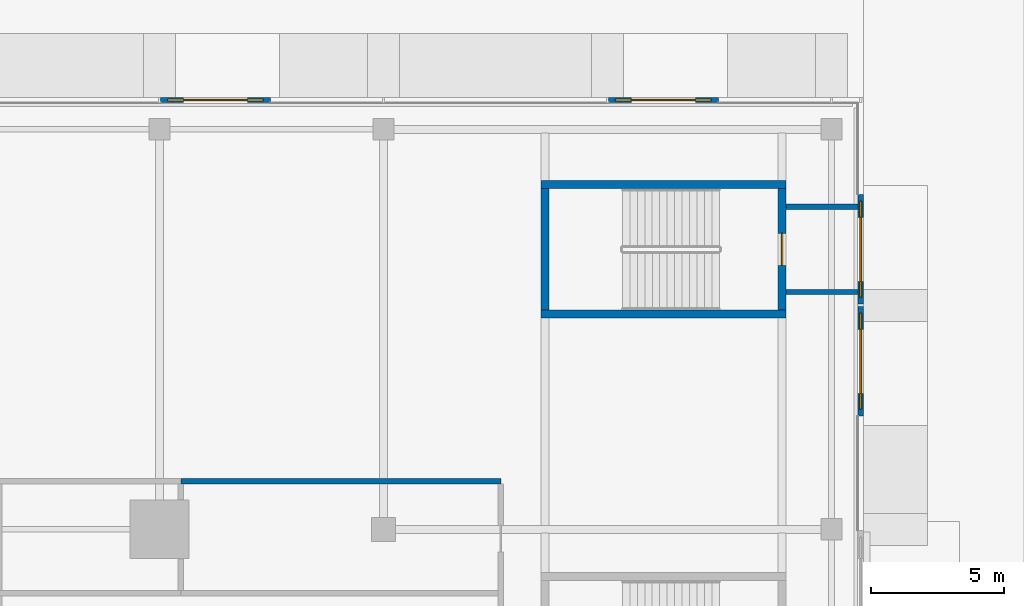
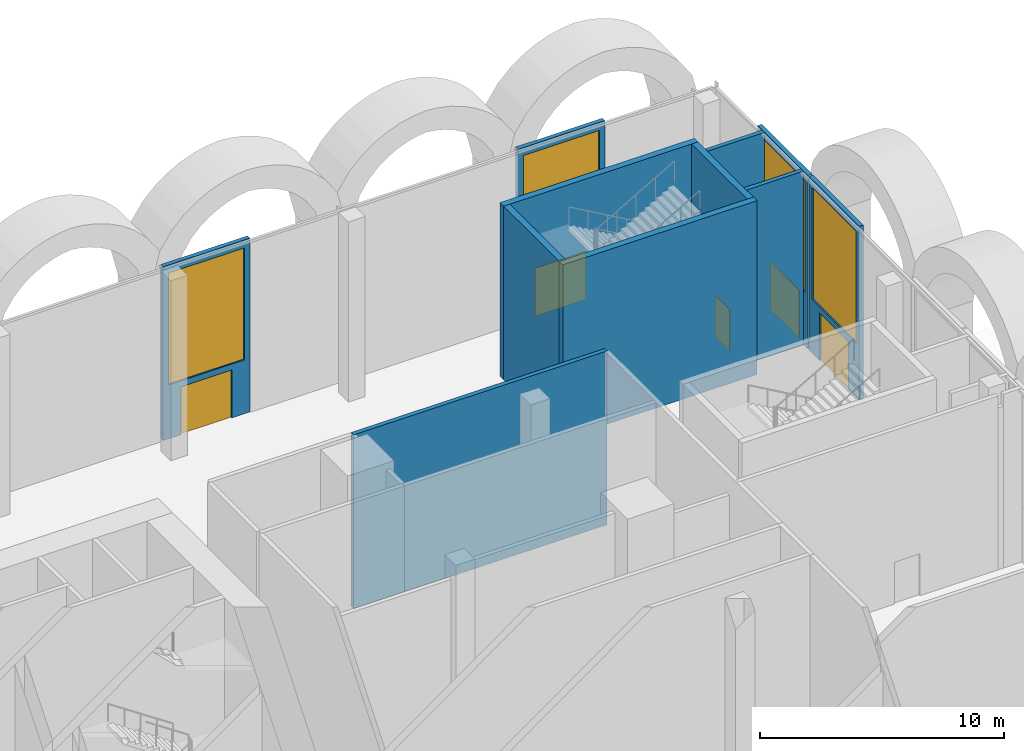
# One storey, part 30 of 43: 11 walls, 5 doors, 4 windows, 9 openings.
"""IFC4 building model written with IfcOpenShell, lengths in metres."""

from ifc_helpers import new_model, si_unit, direction, frame, frame_2d, origin, place, context, subcontext, project, spatial, rectangle, extrude, material, layer, layer_set, type_object, element, fill, save


model = new_model("IFC4")

# Units and contexts
model_context = context("Model", 3, precision=1e-05, world=origin(), true_north=direction((0.0, 1.0)))
body_context = subcontext(model_context, "Body", "Model", "MODEL_VIEW")
ifc_project = project(units=[si_unit("LENGTHUNIT", "METRE"), si_unit("AREAUNIT", "SQUARE_METRE"), si_unit("VOLUMEUNIT", "CUBIC_METRE"), si_unit("PLANEANGLEUNIT", "RADIAN"), si_unit("MASSUNIT", "GRAM", prefix="KILO")], contexts=[model_context])

# Site, building, storey
site_placement = place(None, origin())
site = spatial("IfcSite", under=ifc_project, at=site_placement, CompositionType="ELEMENT")
building_placement = place(site_placement, origin())
building = spatial("IfcBuilding", under=site, at=building_placement, Name="Saffron Gate Tower", CompositionType="ELEMENT")
storey_placement = place(building_placement, origin())
storey = spatial("IfcBuildingStorey", under=building, at=storey_placement, Name="L00", CompositionType="ELEMENT", Elevation=0.0)

# Walls
ifc_material_1 = material(Name="Gypsum board partition on steel studs", Category="steel")
ifc_layer_1 = layer(ifc_material_1, 0.199951171875)
ifc_layer_set_1 = layer_set([ifc_layer_1], Name="CW10 Core partition 200")
wall_type_1 = type_object("IfcWallType", Name="CW10 Core partition 200", PredefinedType="PARTITIONING", material=ifc_layer_set_1)
for number, where, z_axis, x_axis, name in (
    (1, (140.5, 82.699951171875, 0.0), (0.0, 0.0, 1.0), (1.0, 0.0, 0.0), "Wall CW10-L00-XS-IA"),
    (2, (140.5, 85.89990234375, 0.0), (0.0, 0.0, 1.0), (1.0, 0.0, 0.0), "Wall CW10-L00-XS-IB"),
):
    element("IfcWall", number, at=place(storey_placement, frame(where, z_axis=z_axis, x_axis=x_axis)), inside=storey, type_object=wall_type_1, Name=name, PredefinedType="PARTITIONING", context=body_context, shape_type="SweptSolid", body=[
        extrude(rectangle(XDim=2.699951171875, YDim=0.199951171875, at=frame_2d((1.35009765625, 0.0))), origin(), (0.0, 0.0, 1.0), 8.699951171875),
    ])
ifc_material_2 = material(Name="Concrete C70", Category="concrete")
ifc_layer_2 = layer(ifc_material_2, 0.300048828125)
ifc_layer_set_2 = layer_set([ifc_layer_2], Name="CW5 RC core wall 300 C70")
wall_type_2 = type_object("IfcWallType", Name="CW5 RC core wall 300 C70", PredefinedType="SOLIDWALL", material=ifc_layer_set_2)
wall_1_placement = place(storey_placement, frame((131.300048828125, 81.875, 0.0), z_axis=(0.0, 0.0, 1.0), x_axis=(1.0, 0.0, 0.0)))
element("IfcWall", 3, at=wall_1_placement, inside=storey, type_object=wall_type_2, Name="Wall CW5-L00-I-1", PredefinedType="SOLIDWALL", context=body_context, shape_type="SweptSolid", body=[
    extrude(rectangle(XDim=9.199951171875, YDim=0.300048828125, at=frame_2d((4.60009765625, 0.0))), origin(), (0.0, 0.0, 1.0), 8.699951171875),
])
wall_2_placement = place(storey_placement, frame((131.449951171875, 82.02490234375, 0.0), z_axis=(0.0, 0.0, 1.0), x_axis=(0.0, 1.0, 0.0)))
element("IfcWall", 4, at=wall_2_placement, inside=storey, type_object=wall_type_2, Name="Wall CW5-L00-I-2", PredefinedType="SOLIDWALL", context=body_context, shape_type="SweptSolid", body=[
    extrude(rectangle(XDim=4.550048828125, YDim=0.300048828125, at=frame_2d((2.27490234375, 0.0))), origin(), (0.0, 0.0, 1.0), 8.699951171875),
])

# Wall, opening, door
wall_3_placement = place(storey_placement, frame((140.35009765625, 82.02490234375, 0.0), z_axis=(0.0, 0.0, 1.0), x_axis=(0.0, 1.0, 0.0)))
wall_3 = element("IfcWall", 5, at=wall_3_placement, inside=storey, type_object=wall_type_2, Name="Wall CW5-L00-I-3", PredefinedType="SOLIDWALL", context=body_context, shape_type="SweptSolid", body=[
    extrude(rectangle(XDim=4.550048828125, YDim=0.300048828125, at=frame_2d((2.27490234375, 0.0))), origin(), (0.0, 0.0, 1.0), 8.699951171875),
])
opening_1_placement = place(wall_3_placement, frame((1.675048828125, 0.0, 0.0)))
opening_1 = element("IfcOpeningElement", 6, at=opening_1_placement, cuts=wall_3, Name="Opening CR-33", PredefinedType="OPENING", context=body_context, shape_type="SweptSolid", body=[
    extrude(rectangle(XDim=1.199951171875, YDim=2.10009765625, at=frame_2d((0.60009765625, 1.050048828125))), frame((0.0, 0.16015625, 0.0), z_axis=(0.0, -1.0, 0.0), x_axis=(1.0, 0.0, 0.0)), (0.0, 0.0, 1.0), 0.320068359375),
])
ifc_material_3 = material(Name="Steel fire door set", Category="steel")
door_type_1 = type_object("IfcDoorType", Name="CD12 Stair door 1200x2100 EI 120", OperationType="NOTDEFINED", PredefinedType="DOOR", material=ifc_material_3)
door_1_placement = place(opening_1_placement, origin())
door_1 = element("IfcDoor", 7, at=door_1_placement, inside=storey, type_object=door_type_1, Name="DOOR CR-33", OperationType="SINGLE_SWING_RIGHT", OverallHeight=2.10009765625, OverallWidth=1.199951171875, PredefinedType="DOOR", context=body_context, shape_type="SweptSolid", body=[
    extrude(rectangle(XDim=1.199951171875, YDim=2.10009765625, at=frame_2d((0.60009765625, 1.050048828125))), frame((0.0, 0.02490234375, 0.0), z_axis=(0.0, -1.0, 0.0), x_axis=(1.0, 0.0, 0.0)), (0.0, 0.0, 1.0), 0.050048828125),
])
fill(opening_1, door_1)

# Walls
wall_4_placement = place(storey_placement, frame((131.300048828125, 86.72509765625, 0.0), z_axis=(0.0, 0.0, 1.0), x_axis=(1.0, 0.0, 0.0)))
element("IfcWall", 8, at=wall_4_placement, inside=storey, type_object=wall_type_2, Name="Wall CW5-L00-I-4", PredefinedType="SOLIDWALL", context=body_context, shape_type="SweptSolid", body=[
    extrude(rectangle(XDim=9.199951171875, YDim=0.300048828125, at=frame_2d((4.60009765625, 0.0))), origin(), (0.0, 0.0, 1.0), 8.699951171875),
])
ifc_material_4 = material(Name="Clay brick masonry, rendered", Category="masonry")
ifc_layer_3 = layer(ifc_material_4, 0.199951171875)
ifc_layer_set_3 = layer_set([ifc_layer_3], Name="PW3 Corridor wall 200")
wall_type_3 = type_object("IfcWallType", Name="PW3 Corridor wall 200", PredefinedType="PARTITIONING", material=ifc_layer_set_3)
wall_5_placement = place(storey_placement, frame((117.800048828125, 75.60009765625, 0.0), z_axis=(0.0, 0.0, 1.0), x_axis=(1.0, 0.0, 0.0)))
element("IfcWall", 9, at=wall_5_placement, inside=storey, type_object=wall_type_3, Name="Wall P0-28", PredefinedType="PARTITIONING", context=body_context, shape_type="SweptSolid", body=[
    extrude(rectangle(XDim=12.0, YDim=0.199951171875, at=frame_2d((6.0, 0.0))), origin(), (0.0, 0.0, 1.0), 8.699951171875),
])

# Wall, openings, window, door
ifc_material_5 = material(Name="Reinforced concrete C40/50 clad in bronze panels", Category="concrete")
ifc_layer_4 = layer(ifc_material_5, 0.199951171875)
ifc_layer_set_4 = layer_set([ifc_layer_4], Name="WBAY1 entrance bay wall")
wall_type_4 = type_object("IfcWallType", Name="WBAY1 entrance bay wall", PredefinedType="SOLIDWALL", material=ifc_layer_set_4)
wall_6_placement = place(storey_placement, frame((143.300048828125, 82.159912109375, 0.0), z_axis=(0.0, 0.0, 1.0), x_axis=(0.0, -1.0, 0.0)))
wall_6 = element("IfcWall", 10, at=wall_6_placement, inside=storey, type_object=wall_type_4, Name="ENTRANCE BAY wall", PredefinedType="SOLIDWALL", context=body_context, shape_type="SweptSolid", body=[
    extrude(rectangle(XDim=4.119873046875, YDim=0.199951171875, at=frame_2d((2.06005859375, 0.0))), origin(), (0.0, 0.0, 1.0), 8.699951171875),
])
opening_2_placement = place(wall_6_placement, frame((0.860107421875, 0.0, 0.0)))
opening_2 = element("IfcOpeningElement", 11, at=opening_2_placement, cuts=wall_6, Name="Opening E18", PredefinedType="OPENING", context=body_context, shape_type="SweptSolid", body=[
    extrude(rectangle(XDim=2.39990234375, YDim=2.39990234375, at=frame_2d((1.199951171875, 1.199951171875))), frame((0.0, 0.10986328125, 0.0), z_axis=(0.0, -1.0, 0.0), x_axis=(1.0, 0.0, 0.0)), (0.0, 0.0, 1.0), 0.219970703125),
])
opening_3_placement = place(wall_6_placement, frame((0.260009765625, 0.0, 2.699951171875)))
opening_3 = element("IfcOpeningElement", 12, at=opening_3_placement, cuts=wall_6, Name="Opening W9", PredefinedType="OPENING", context=body_context, shape_type="SweptSolid", body=[
    extrude(rectangle(XDim=3.60009765625, YDim=5.60009765625, at=frame_2d((1.800048828125, 2.800048828125))), frame((0.0, 0.10986328125, 0.0), z_axis=(0.0, -1.0, 0.0), x_axis=(1.0, 0.0, 0.0)), (0.0, 0.0, 1.0), 0.219970703125),
])
ifc_material_6 = material(Name="Clear low-iron laminated glass in bronze frame", Category="glass")
ifc_layer_5 = layer(ifc_material_6, 0.06005859375)
ifc_layer_set_5 = layer_set([ifc_layer_5], Name="W9 entrance light")
window_type = type_object("IfcWindowType", Name="W9 entrance light", PartitioningType="SINGLE_PANEL", PredefinedType="WINDOW", material=ifc_layer_set_5)
window_1_placement = place(opening_3_placement, origin())
window_1 = element("IfcWindow", 13, at=window_1_placement, inside=storey, type_object=window_type, Name="W9 entrance light", OverallHeight=5.60009765625, OverallWidth=3.60009765625, PartitioningType="SINGLE_PANEL", PredefinedType="WINDOW", context=body_context, shape_type="SweptSolid", body=[
    extrude(rectangle(XDim=3.60009765625, YDim=5.60009765625, at=frame_2d((1.800048828125, 2.800048828125))), frame((0.0, 0.030029296875, 0.0), z_axis=(0.0, -1.0, 0.0), x_axis=(1.0, 0.0, 0.0)), (0.0, 0.0, 1.0), 0.06005859375),
])
fill(opening_3, window_1)
ifc_material_7 = material(Name="Bronze-framed toughened glass", Category="glass")
ifc_layer_6 = layer(ifc_material_7, 0.050048828125)
ifc_layer_set_6 = layer_set([ifc_layer_6], Name="X1 exit double door 2400x2400")
door_type_2 = type_object("IfcDoorType", Name="X1 exit double door 2400x2400", OperationType="DOUBLE_DOOR_SINGLE_SWING", PredefinedType="DOOR", material=ifc_layer_set_6)
door_2_placement = place(opening_2_placement, origin())
door_2 = element("IfcDoor", 14, at=door_2_placement, inside=storey, type_object=door_type_2, Name="EXIT E18", OperationType="DOUBLE_DOOR_SINGLE_SWING", OverallHeight=2.39990234375, OverallWidth=2.39990234375, PredefinedType="DOOR", context=body_context, shape_type="SweptSolid", body=[
    extrude(rectangle(XDim=2.39990234375, YDim=2.39990234375, at=frame_2d((1.199951171875, 1.199951171875))), frame((0.0, 0.02490234375, 0.0), z_axis=(0.0, -1.0, 0.0), x_axis=(1.0, 0.0, 0.0)), (0.0, 0.0, 1.0), 0.050048828125),
])
fill(opening_2, door_2)

wall_7_placement = place(storey_placement, frame((143.300048828125, 86.360107421875, 0.0), z_axis=(0.0, 0.0, 1.0), x_axis=(0.0, -1.0, 0.0)))
wall_7 = element("IfcWall", 15, at=wall_7_placement, inside=storey, type_object=wall_type_4, Name="ENTRANCE BAY wall", PredefinedType="SOLIDWALL", context=body_context, shape_type="SweptSolid", body=[
    extrude(rectangle(XDim=4.1201171875, YDim=0.199951171875, at=frame_2d((2.06005859375, 0.0))), origin(), (0.0, 0.0, 1.0), 8.699951171875),
])
opening_4_placement = place(wall_7_placement, frame((0.860107421875, 0.0, 0.0)))
opening_4 = element("IfcOpeningElement", 16, at=opening_4_placement, cuts=wall_7, Name="Opening E32", PredefinedType="OPENING", context=body_context, shape_type="SweptSolid", body=[
    extrude(rectangle(XDim=2.39990234375, YDim=2.39990234375, at=frame_2d((1.199951171875, 1.199951171875))), frame((0.0, 0.10986328125, 0.0), z_axis=(0.0, -1.0, 0.0), x_axis=(1.0, 0.0, 0.0)), (0.0, 0.0, 1.0), 0.219970703125),
])
opening_5_placement = place(wall_7_placement, frame((0.260009765625, 0.0, 2.699951171875)))
opening_5 = element("IfcOpeningElement", 17, at=opening_5_placement, cuts=wall_7, Name="Opening W9", PredefinedType="OPENING", context=body_context, shape_type="SweptSolid", body=[
    extrude(rectangle(XDim=3.60009765625, YDim=5.60009765625, at=frame_2d((1.800048828125, 2.800048828125))), frame((0.0, 0.10986328125, 0.0), z_axis=(0.0, -1.0, 0.0), x_axis=(1.0, 0.0, 0.0)), (0.0, 0.0, 1.0), 0.219970703125),
])
window_2_placement = place(opening_5_placement, origin())
window_2 = element("IfcWindow", 18, at=window_2_placement, inside=storey, type_object=window_type, Name="W9 entrance light", OverallHeight=5.60009765625, OverallWidth=3.60009765625, PartitioningType="SINGLE_PANEL", PredefinedType="WINDOW", context=body_context, shape_type="SweptSolid", body=[
    extrude(rectangle(XDim=3.60009765625, YDim=5.60009765625, at=frame_2d((1.800048828125, 2.800048828125))), frame((0.0, 0.030029296875, 0.0), z_axis=(0.0, -1.0, 0.0), x_axis=(1.0, 0.0, 0.0)), (0.0, 0.0, 1.0), 0.06005859375),
])
fill(opening_5, window_2)
door_3_placement = place(opening_4_placement, origin())
door_3 = element("IfcDoor", 19, at=door_3_placement, inside=storey, type_object=door_type_2, Name="EXIT E32", OperationType="DOUBLE_DOOR_SINGLE_SWING", OverallHeight=2.39990234375, OverallWidth=2.39990234375, PredefinedType="DOOR", context=body_context, shape_type="SweptSolid", body=[
    extrude(rectangle(XDim=2.39990234375, YDim=2.39990234375, at=frame_2d((1.199951171875, 1.199951171875))), frame((0.0, 0.02490234375, 0.0), z_axis=(0.0, -1.0, 0.0), x_axis=(1.0, 0.0, 0.0)), (0.0, 0.0, 1.0), 0.050048828125),
])
fill(opening_4, door_3)

wall_8_placement = place(storey_placement, frame((133.840087890625, 89.89990234375, 0.0), z_axis=(0.0, 0.0, 1.0), x_axis=(1.0, 0.0, 0.0)))
wall_8 = element("IfcWall", 20, at=wall_8_placement, inside=storey, type_object=wall_type_4, Name="ENTRANCE BAY wall", PredefinedType="SOLIDWALL", context=body_context, shape_type="SweptSolid", body=[
    extrude(rectangle(XDim=4.119873046875, YDim=0.199951171875, at=frame_2d((2.06005859375, 0.0))), origin(), (0.0, 0.0, 1.0), 8.699951171875),
])
opening_6_placement = place(wall_8_placement, frame((0.860107421875, 0.0, 0.0)))
opening_6 = element("IfcOpeningElement", 21, at=opening_6_placement, cuts=wall_8, Name="Opening E15", PredefinedType="OPENING", context=body_context, shape_type="SweptSolid", body=[
    extrude(rectangle(XDim=2.39990234375, YDim=2.39990234375, at=frame_2d((1.199951171875, 1.199951171875))), frame((0.0, 0.10986328125, 0.0), z_axis=(0.0, -1.0, 0.0), x_axis=(1.0, 0.0, 0.0)), (0.0, 0.0, 1.0), 0.219970703125),
])
opening_7_placement = place(wall_8_placement, frame((0.260009765625, 0.0, 2.699951171875)))
opening_7 = element("IfcOpeningElement", 22, at=opening_7_placement, cuts=wall_8, Name="Opening W9", PredefinedType="OPENING", context=body_context, shape_type="SweptSolid", body=[
    extrude(rectangle(XDim=3.60009765625, YDim=5.60009765625, at=frame_2d((1.800048828125, 2.800048828125))), frame((0.0, 0.10986328125, 0.0), z_axis=(0.0, -1.0, 0.0), x_axis=(1.0, 0.0, 0.0)), (0.0, 0.0, 1.0), 0.219970703125),
])
window_3_placement = place(opening_7_placement, origin())
window_3 = element("IfcWindow", 23, at=window_3_placement, inside=storey, type_object=window_type, Name="W9 entrance light", OverallHeight=5.60009765625, OverallWidth=3.60009765625, PartitioningType="SINGLE_PANEL", PredefinedType="WINDOW", context=body_context, shape_type="SweptSolid", body=[
    extrude(rectangle(XDim=3.60009765625, YDim=5.60009765625, at=frame_2d((1.800048828125, 2.800048828125))), frame((0.0, 0.030029296875, 0.0), z_axis=(0.0, -1.0, 0.0), x_axis=(1.0, 0.0, 0.0)), (0.0, 0.0, 1.0), 0.06005859375),
])
fill(opening_7, window_3)
door_4_placement = place(opening_6_placement, origin())
door_4 = element("IfcDoor", 24, at=door_4_placement, inside=storey, type_object=door_type_2, Name="EXIT E15", OperationType="DOUBLE_DOOR_SINGLE_SWING", OverallHeight=2.39990234375, OverallWidth=2.39990234375, PredefinedType="DOOR", context=body_context, shape_type="SweptSolid", body=[
    extrude(rectangle(XDim=2.39990234375, YDim=2.39990234375, at=frame_2d((1.199951171875, 1.199951171875))), frame((0.0, 0.02490234375, 0.0), z_axis=(0.0, -1.0, 0.0), x_axis=(1.0, 0.0, 0.0)), (0.0, 0.0, 1.0), 0.050048828125),
])
fill(opening_6, door_4)

wall_9_placement = place(storey_placement, frame((117.0400390625, 89.89990234375, 0.0), z_axis=(0.0, 0.0, 1.0), x_axis=(1.0, 0.0, 0.0)))
wall_9 = element("IfcWall", 25, at=wall_9_placement, inside=storey, type_object=wall_type_4, Name="ENTRANCE BAY wall", PredefinedType="SOLIDWALL", context=body_context, shape_type="SweptSolid", body=[
    extrude(rectangle(XDim=4.119873046875, YDim=0.199951171875, at=frame_2d((2.06005859375, 0.0))), origin(), (0.0, 0.0, 1.0), 8.699951171875),
])
opening_8_placement = place(wall_9_placement, frame((0.860107421875, 0.0, 0.0)))
opening_8 = element("IfcOpeningElement", 26, at=opening_8_placement, cuts=wall_9, Name="Opening E27", PredefinedType="OPENING", context=body_context, shape_type="SweptSolid", body=[
    extrude(rectangle(XDim=2.39990234375, YDim=2.39990234375, at=frame_2d((1.199951171875, 1.199951171875))), frame((0.0, 0.10986328125, 0.0), z_axis=(0.0, -1.0, 0.0), x_axis=(1.0, 0.0, 0.0)), (0.0, 0.0, 1.0), 0.219970703125),
])
opening_9_placement = place(wall_9_placement, frame((0.260009765625, 0.0, 2.699951171875)))
opening_9 = element("IfcOpeningElement", 27, at=opening_9_placement, cuts=wall_9, Name="Opening W9", PredefinedType="OPENING", context=body_context, shape_type="SweptSolid", body=[
    extrude(rectangle(XDim=3.60009765625, YDim=5.60009765625, at=frame_2d((1.800048828125, 2.800048828125))), frame((0.0, 0.10986328125, 0.0), z_axis=(0.0, -1.0, 0.0), x_axis=(1.0, 0.0, 0.0)), (0.0, 0.0, 1.0), 0.219970703125),
])
window_4_placement = place(opening_9_placement, origin())
window_4 = element("IfcWindow", 28, at=window_4_placement, inside=storey, type_object=window_type, Name="W9 entrance light", OverallHeight=5.60009765625, OverallWidth=3.60009765625, PartitioningType="SINGLE_PANEL", PredefinedType="WINDOW", context=body_context, shape_type="SweptSolid", body=[
    extrude(rectangle(XDim=3.60009765625, YDim=5.60009765625, at=frame_2d((1.800048828125, 2.800048828125))), frame((0.0, 0.030029296875, 0.0), z_axis=(0.0, -1.0, 0.0), x_axis=(1.0, 0.0, 0.0)), (0.0, 0.0, 1.0), 0.06005859375),
])
fill(opening_9, window_4)
door_5_placement = place(opening_8_placement, origin())
door_5 = element("IfcDoor", 29, at=door_5_placement, inside=storey, type_object=door_type_2, Name="EXIT E27", OperationType="DOUBLE_DOOR_SINGLE_SWING", OverallHeight=2.39990234375, OverallWidth=2.39990234375, PredefinedType="DOOR", context=body_context, shape_type="SweptSolid", body=[
    extrude(rectangle(XDim=2.39990234375, YDim=2.39990234375, at=frame_2d((1.199951171875, 1.199951171875))), frame((0.0, 0.02490234375, 0.0), z_axis=(0.0, -1.0, 0.0), x_axis=(1.0, 0.0, 0.0)), (0.0, 0.0, 1.0), 0.050048828125),
])
fill(opening_8, door_5)

save(model, "model.ifc")
